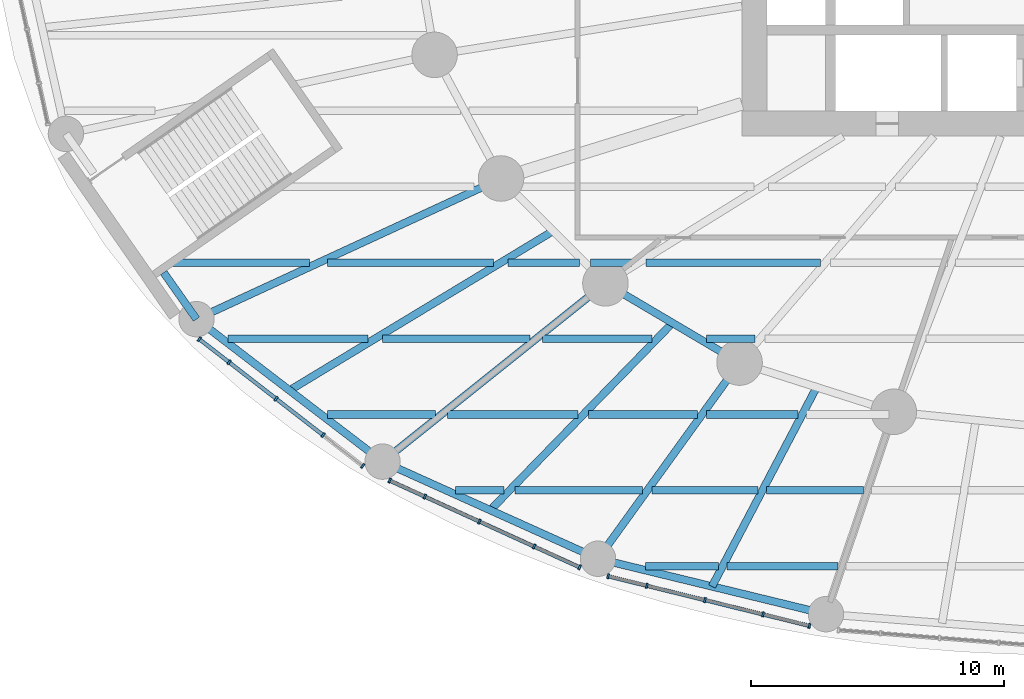
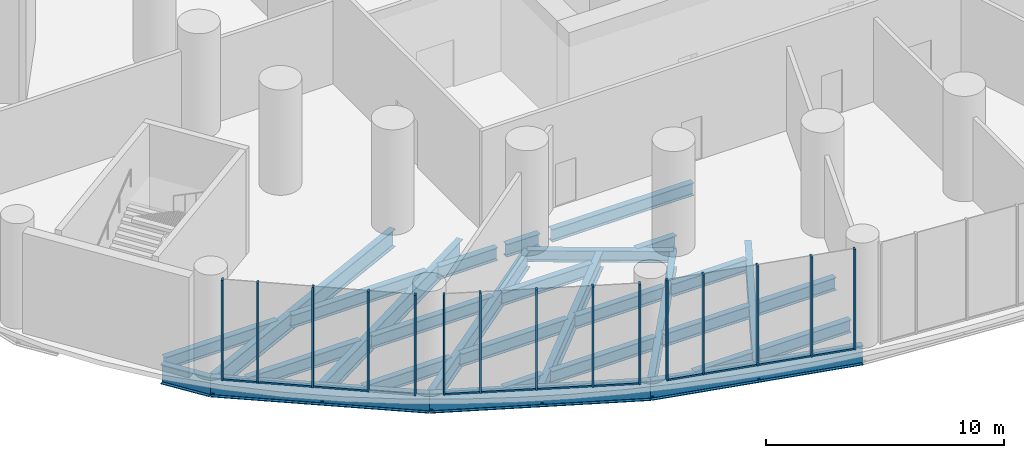
# One storey, part 2 of 23: 30 beams, 26 members, 3 elements without a shape of their own.
"""IFC4 building model written with IfcOpenShell, lengths in metres."""

import ifcopenshell
import ifcopenshell.guid

model = None  # the IFC model being written
_history = None  # IfcOwnerHistory: only IFC2X3 demands one
_inside = {}  # id of a spatial element -> (the spatial element, [elements in it])
_under = {}  # id of a project, library or spatial element -> (it, [spatial elements below it])
_declared = {}  # id of a project -> (the project, [libraries it declares])
_typed = {}  # id of a type object -> (the type object, [elements of that type])
_made_of = {}  # id of a material, layer set ... -> (it, [elements and type objects made of it])


def new_model(schema):
    """Start an empty IFC model of exactly this schema.

    Asked for "IFC4X3", IfcOpenShell would pick the latest addendum, in which some entities
    have other attributes; the version numbers below select the first issue.
    IFC2X3 requires an IfcOwnerHistory on every rooted entity: one is made here for all.
    """
    global model, _history
    if schema == "IFC4X3":
        model = ifcopenshell.file(schema_version=(4, 3, 0, 0))
    else:
        model = ifcopenshell.file(schema=schema)
    _inside.clear()
    _under.clear()
    _declared.clear()
    _typed.clear()
    _made_of.clear()
    _history = None
    if model.schema == "IFC2X3":
        org = make("IfcOrganization", Name="unknown")
        user = make(
            "IfcPersonAndOrganization",
            ThePerson=make("IfcPerson", FamilyName="unknown"),
            TheOrganization=org,
        )
        app = make(
            "IfcApplication",
            ApplicationDeveloper=org,
            Version="unknown",
            ApplicationFullName="unknown",
            ApplicationIdentifier="unknown",
        )
        _history = make(
            "IfcOwnerHistory",
            OwningUser=user,
            OwningApplication=app,
            ChangeAction="ADDED",
            CreationDate=0,
        )
    return model


def make(cls, **values):
    """One entity of the class cls with the attributes given. An attribute that is None is left unset."""
    return model.create_entity(
        cls, **{name: value for name, value in values.items() if value is not None}
    )


def rooted(cls, **values):
    """An entity with a GlobalId (a new one), such as an element, a storey or a relation."""
    return make(cls, GlobalId=ifcopenshell.guid.new(), OwnerHistory=_history, **values)


def si_unit(unit_type, name, prefix=None):
    """IfcSIUnit, for example si_unit("LENGTHUNIT", "METRE", prefix="MILLI")."""
    return make("IfcSIUnit", UnitType=unit_type, Prefix=prefix, Name=name)


def assignment(units):
    """IfcUnitAssignment: the units of a project."""
    return None if units is None else make("IfcUnitAssignment", Units=units)


def point(xyz):
    """IfcCartesianPoint."""
    return None if xyz is None else make("IfcCartesianPoint", Coordinates=xyz)


def direction(xyz):
    """IfcDirection."""
    return None if xyz is None else make("IfcDirection", DirectionRatios=xyz)


def frame(location, z_axis=None, x_axis=None):
    """IfcAxis2Placement3D, a coordinate frame: its origin and axes. An axis left out is left unset."""
    return make(
        "IfcAxis2Placement3D",
        Location=point(location),
        Axis=direction(z_axis),
        RefDirection=direction(x_axis),
    )


def frame_2d(location, x_axis=None):
    """IfcAxis2Placement2D, a coordinate frame in the plane: its origin and x axis."""
    return make(
        "IfcAxis2Placement2D", Location=point(location), RefDirection=direction(x_axis)
    )


def origin():
    """The frame at (0, 0, 0) with its axes left unset."""
    return frame((0.0, 0.0, 0.0))


def origin_2d():
    """The frame at (0, 0) in the plane with its x axis left unset."""
    return frame_2d((0.0, 0.0))


def place(relative_to, where):
    """IfcLocalPlacement: puts the frame where relative to a parent placement (None: the world)."""
    return make(
        "IfcLocalPlacement", PlacementRelTo=relative_to, RelativePlacement=where
    )


def context(
    kind, dimensions, precision=None, world=None, true_north=None, identifier=None
):
    """IfcGeometricRepresentationContext, for example the 3D "Model" context."""
    return make(
        "IfcGeometricRepresentationContext",
        ContextIdentifier=identifier,
        ContextType=kind,
        CoordinateSpaceDimension=dimensions,
        Precision=precision,
        WorldCoordinateSystem=world,
        TrueNorth=true_north,
    )


def subcontext(parent, identifier, kind, view, scale=None):
    """IfcGeometricRepresentationSubContext, for example "Body" below "Model"."""
    return make(
        "IfcGeometricRepresentationSubContext",
        ContextIdentifier=identifier,
        ContextType=kind,
        ParentContext=parent,
        TargetScale=scale,
        TargetView=view,
    )


def project(units=None, contexts=None):
    """IfcProject with its units and contexts."""
    return rooted(
        "IfcProject",
        Name="project",
        RepresentationContexts=contexts,
        UnitsInContext=assignment(units),
    )


def spatial(cls, under=None, at=None, **own):
    """A site, building, storey or space (cls), placed at a placement, below another one or the project."""
    s = rooted(cls, ObjectPlacement=at, **own)
    if under is not None:
        _under.setdefault(under.id(), (under, []))[1].append(s)
    return s


def profile(cls, at=None, kind="AREA", **sizes):
    """A parametric profile (cls). Its sizes go by their IFC names, for example OverallWidth=200.0."""
    return make(cls, ProfileType=kind, Position=at, **sizes)


def rectangle(**sizes):
    """IfcRectangleProfileDef."""
    return profile("IfcRectangleProfileDef", **sizes)


def i_section(**sizes):
    """IfcIShapeProfileDef."""
    return profile("IfcIShapeProfileDef", **sizes)


def extrude(swept, where, along, depth):
    """IfcExtrudedAreaSolid: the profile swept, set in the frame where, extruded along a direction by depth."""
    return make(
        "IfcExtrudedAreaSolid",
        SweptArea=swept,
        Position=where,
        ExtrudedDirection=direction(along),
        Depth=depth,
    )


def shape(context_of_items, identifier, shape_type, items):
    """IfcShapeRepresentation: the items that make up one representation, for example the "Body"."""
    return make(
        "IfcShapeRepresentation",
        ContextOfItems=context_of_items,
        RepresentationIdentifier=identifier,
        RepresentationType=shape_type,
        Items=items,
    )


def material(Name=None, Category=None):
    """IfcMaterial."""
    return make("IfcMaterial", Name=Name, Category=Category)


def material_profile(
    of_material, cross_section, Name=None, Category=None, Priority=None
):
    """IfcMaterialProfile: a cross section and its material."""
    return make(
        "IfcMaterialProfile",
        Name=Name,
        Material=of_material,
        Profile=cross_section,
        Priority=Priority,
        Category=Category,
    )


def profile_set(profiles, Name=None, composite=None):
    """IfcMaterialProfileSet."""
    return make(
        "IfcMaterialProfileSet",
        Name=Name,
        MaterialProfiles=profiles,
        CompositeProfile=composite,
    )


def made_of(thing, what):
    """Note that an element or type object is made of a material, layer set ...; save() writes the relation."""
    if what is not None:
        _made_of.setdefault(what.id(), (what, []))[1].append(thing)
    return thing


def type_object(cls, material=None, **own):
    """A type object (cls), such as IfcWallType, which elements share."""
    return made_of(rooted(cls, **own), material)


def element(
    cls,
    number,
    at=None,
    inside=None,
    cuts=None,
    type_object=None,
    material=None,
    context=None,
    identifier="Body",
    shape_type=None,
    held_by="IfcProductDefinitionShape",
    body=None,
    shapes=None,
    **own,
):
    """One element of the class cls, such as IfcWall. Its Tag is "e" and its number.

    at: its placement. inside: the storey or other place that contains it. cuts: it is an
    opening in that element (IfcRelVoidsElement). A single representation is given by context,
    identifier, shape_type and body (its items); several are given by shapes. held_by: the class
    of the entity that holds the representations. save() writes the other relations.
    """
    e = rooted(cls, Tag="e%d" % number, ObjectPlacement=at, **own)
    if body is not None:
        shapes = [shape(context, identifier, shape_type, body)]
    if shapes is not None:
        e.Representation = make(held_by, Representations=shapes)
    if inside is not None:
        _inside.setdefault(inside.id(), (inside, []))[1].append(e)
    if cuts is not None:
        rooted(
            "IfcRelVoidsElement", RelatingBuildingElement=cuts, RelatedOpeningElement=e
        )
    if type_object is not None:
        _typed.setdefault(type_object.id(), (type_object, []))[1].append(e)
    return made_of(e, material)


def aggregate(whole, parts):
    """IfcRelAggregates: a whole, such as a stair, and the parts it consists of."""
    return rooted("IfcRelAggregates", RelatingObject=whole, RelatedObjects=parts)


def save(model, path):
    """Write the relations noted so far, then the file.

    IfcRelAggregates (storeys below a building ...), IfcRelContainedInSpatialStructure (elements
    in a storey), IfcRelDefinesByType, IfcRelAssociatesMaterial and IfcRelDeclares: one each for
    every whole, place, type object, material and project.
    """
    for whole, parts in _under.values():
        aggregate(whole, parts)
    for where, things in _inside.values():
        rooted(
            "IfcRelContainedInSpatialStructure",
            RelatedElements=things,
            RelatingStructure=where,
        )
    for kind, things in _typed.values():
        rooted("IfcRelDefinesByType", RelatedObjects=things, RelatingType=kind)
    for what, things in _made_of.values():
        rooted("IfcRelAssociatesMaterial", RelatedObjects=things, RelatingMaterial=what)
    for by, libraries in _declared.values():
        rooted("IfcRelDeclares", RelatingContext=by, RelatedDefinitions=libraries)
    model.write(path)


model = new_model("IFC4")

# Units and contexts
model_context = context("Model", 3, precision=1e-05, world=origin(), true_north=direction((0.0, 1.0)))
body_context = subcontext(model_context, "Body", "Model", "MODEL_VIEW")
ifc_project = project(units=[si_unit("LENGTHUNIT", "METRE"), si_unit("AREAUNIT", "SQUARE_METRE"), si_unit("VOLUMEUNIT", "CUBIC_METRE"), si_unit("PLANEANGLEUNIT", "RADIAN"), si_unit("MASSUNIT", "GRAM", prefix="KILO")], contexts=[model_context])

# Site, building, storey
site_placement = place(None, origin())
site = spatial("IfcSite", under=ifc_project, at=site_placement, CompositionType="ELEMENT")
building_placement = place(site_placement, origin())
building = spatial("IfcBuilding", under=site, at=building_placement, Name="Hankou Lantern Tower", CompositionType="ELEMENT")
storey_placement = place(building_placement, frame((0.0, 0.0, 19.199951171875)))
storey = spatial("IfcBuildingStorey", under=building, at=storey_placement, Name="L03", CompositionType="ELEMENT", Elevation=19.199951171875)

# Beam
ifc_material_1 = material(Name="Steel Q355B", Category="steel")
ifc_material_profile_1 = material_profile(ifc_material_1, i_section(OverallWidth=0.300048828125, OverallDepth=0.587890625, WebThickness=0.011962890625, FlangeThickness=0.02001953125, FilletRadius=0.01806640625, at=origin_2d()), Name="HM588x300x12x20")
ifc_profile_set_1 = profile_set([ifc_material_profile_1], Name="Steel Q355B")
beam_type_1 = type_object("IfcBeamType", Name="EB16 RING BEAM HM588x300x12x20", PredefinedType="SPANDREL", material=ifc_profile_set_1)
beam_1_placement = place(storey_placement, frame((-17.891845703125, -14.3134765625, -0.5439453125), z_axis=(0.860881533543, -0.508805449268, 0.0), x_axis=(0.508805449268, 0.860881533543, 0.0)))
element("IfcBeam", 1, at=beam_1_placement, inside=storey, type_object=beam_type_1, Name="Ring beam R16-R17 L03", PredefinedType="SPANDREL", context=body_context, shape_type="SweptSolid", body=[
    extrude(i_section(OverallWidth=0.300048828125, OverallDepth=0.587890625, WebThickness=0.011962890625, FlangeThickness=0.02001953125, FilletRadius=0.01806640625, at=origin_2d()), origin(), (0.0, 0.0, 1.0), 6.15771484375),
])

# Curtain wall, members
ifc_material_2 = material(Name="Glass, dark grey tinted laminated", Category="glass")
curtain_wall_type = type_object("IfcCurtainWallType", Name="CWP PODIUM CURTAIN WALL", PredefinedType="USERDEFINED", material=ifc_material_2)
curtain_wall_1_placement = place(storey_placement, origin())
curtain_wall_1 = element("IfcCurtainWall", 2, at=curtain_wall_1_placement, inside=storey, type_object=curtain_wall_type, Name="CWP L03 PC11", ObjectType="PODIUM GLAZING", PredefinedType="USERDEFINED")
ifc_material_3 = material(Name="Aluminium, black anodised", Category="aluminium")
ifc_material_profile_2 = material_profile(ifc_material_3, rectangle(XDim=0.080078125, YDim=0.199951171875, at=origin_2d()), Name="MU2 80X200")
ifc_profile_set_2 = profile_set([ifc_material_profile_2], Name="Aluminium, black anodised")
member_type_1 = type_object("IfcMemberType", Name="MU2 PODIUM MULLION 80X200", PredefinedType="MULLION", material=ifc_profile_set_2)
member_1_placement = place(storey_placement, frame((-33.945068359375, -16.520751953125, 0.0), z_axis=(0.0, 0.0, 1.0), x_axis=(0.790129760642, -0.612939606608, 0.0)))
member_1 = element("IfcMember", 3, at=member_1_placement, type_object=member_type_1, Name="CWP mullion 1", PredefinedType="MULLION", context=body_context, shape_type="SweptSolid", body=[
    extrude(rectangle(XDim=0.080078125, YDim=0.199951171875, at=origin_2d()), origin(), (0.0, 0.0, 1.0), 5.150146484375),
])
member_2_placement = place(storey_placement, frame((-32.76806640625, -17.433837890625, 0.0), z_axis=(0.0, 0.0, 1.0), x_axis=(0.790129760642, -0.612939606608, 0.0)))
member_2 = element("IfcMember", 4, at=member_2_placement, type_object=member_type_1, Name="CWP mullion 2", PredefinedType="MULLION", context=body_context, shape_type="SweptSolid", body=[
    extrude(rectangle(XDim=0.080078125, YDim=0.199951171875, at=origin_2d()), origin(), (0.0, 0.0, 1.0), 5.150146484375),
])
member_3_placement = place(storey_placement, frame((-30.91064453125, -18.874755859375, 0.0), z_axis=(0.0, 0.0, 1.0), x_axis=(0.790129760642, -0.612939606608, 0.0)))
member_3 = element("IfcMember", 5, at=member_3_placement, type_object=member_type_1, Name="CWP mullion 3", PredefinedType="MULLION", context=body_context, shape_type="SweptSolid", body=[
    extrude(rectangle(XDim=0.080078125, YDim=0.199951171875, at=origin_2d()), origin(), (0.0, 0.0, 1.0), 5.150146484375),
])
member_4_placement = place(storey_placement, frame((-29.05322265625, -20.315673828125, 0.0), z_axis=(0.0, 0.0, 1.0), x_axis=(0.790129760642, -0.612939606608, 0.0)))
member_4 = element("IfcMember", 6, at=member_4_placement, type_object=member_type_1, Name="CWP mullion 4", PredefinedType="MULLION", context=body_context, shape_type="SweptSolid", body=[
    extrude(rectangle(XDim=0.080078125, YDim=0.199951171875, at=origin_2d()), origin(), (0.0, 0.0, 1.0), 5.150146484375),
])
member_5_placement = place(storey_placement, frame((-27.487060546875, -21.530517578125, 0.0), z_axis=(0.0, 0.0, 1.0), x_axis=(0.790129760642, -0.612939606608, 0.0)))
member_5 = element("IfcMember", 7, at=member_5_placement, type_object=member_type_1, Name="CWP mullion 5", PredefinedType="MULLION", context=body_context, shape_type="SweptSolid", body=[
    extrude(rectangle(XDim=0.080078125, YDim=0.199951171875, at=origin_2d()), origin(), (0.0, 0.0, 1.0), 5.150146484375),
])

curtain_wall_2_placement = place(storey_placement, origin())
curtain_wall_2 = element("IfcCurtainWall", 8, at=curtain_wall_2_placement, inside=storey, type_object=curtain_wall_type, Name="CWP L03 PC12", ObjectType="PODIUM GLAZING", PredefinedType="USERDEFINED")
member_6_placement = place(storey_placement, frame((-26.421630859375, -22.10986328125, 0.0), z_axis=(0.0, 0.0, 1.0), x_axis=(0.909669790944, -0.41533224224, 0.0)))
member_6 = element("IfcMember", 9, at=member_6_placement, type_object=member_type_1, Name="CWP mullion 1", PredefinedType="MULLION", context=body_context, shape_type="SweptSolid", body=[
    extrude(rectangle(XDim=0.080078125, YDim=0.199951171875, at=origin_2d()), origin(), (0.0, 0.0, 1.0), 5.150146484375),
])
member_7_placement = place(storey_placement, frame((-25.034423828125, -22.743408203125, 0.0), z_axis=(0.0, 0.0, 1.0), x_axis=(0.909669790944, -0.41533224224, 0.0)))
member_7 = element("IfcMember", 10, at=member_7_placement, type_object=member_type_1, Name="CWP mullion 2", PredefinedType="MULLION", context=body_context, shape_type="SweptSolid", body=[
    extrude(rectangle(XDim=0.080078125, YDim=0.199951171875, at=origin_2d()), origin(), (0.0, 0.0, 1.0), 5.150146484375),
])
member_8_placement = place(storey_placement, frame((-22.873046875, -23.730224609375, 0.0), z_axis=(0.0, 0.0, 1.0), x_axis=(0.909669790944, -0.41533224224, 0.0)))
member_8 = element("IfcMember", 11, at=member_8_placement, type_object=member_type_1, Name="CWP mullion 3", PredefinedType="MULLION", context=body_context, shape_type="SweptSolid", body=[
    extrude(rectangle(XDim=0.080078125, YDim=0.199951171875, at=origin_2d()), origin(), (0.0, 0.0, 1.0), 5.150146484375),
])
member_9_placement = place(storey_placement, frame((-20.711669921875, -24.717041015625, 0.0), z_axis=(0.0, 0.0, 1.0), x_axis=(0.909669790944, -0.41533224224, 0.0)))
member_9 = element("IfcMember", 12, at=member_9_placement, type_object=member_type_1, Name="CWP mullion 4", PredefinedType="MULLION", context=body_context, shape_type="SweptSolid", body=[
    extrude(rectangle(XDim=0.080078125, YDim=0.199951171875, at=origin_2d()), origin(), (0.0, 0.0, 1.0), 5.150146484375),
])
member_10_placement = place(storey_placement, frame((-18.913818359375, -25.537841796875, 0.0), z_axis=(0.0, 0.0, 1.0), x_axis=(0.909669790944, -0.41533224224, 0.0)))
member_10 = element("IfcMember", 13, at=member_10_placement, type_object=member_type_1, Name="CWP mullion 5", PredefinedType="MULLION", context=body_context, shape_type="SweptSolid", body=[
    extrude(rectangle(XDim=0.080078125, YDim=0.199951171875, at=origin_2d()), origin(), (0.0, 0.0, 1.0), 5.150146484375),
])

curtain_wall_3_placement = place(storey_placement, origin())
curtain_wall_3 = element("IfcCurtainWall", 14, at=curtain_wall_3_placement, inside=storey, type_object=curtain_wall_type, Name="CWP L03 PC13", ObjectType="PODIUM GLAZING", PredefinedType="USERDEFINED")
member_11_placement = place(storey_placement, frame((-17.785888671875, -25.892333984375, 0.0), z_axis=(0.0, 0.0, 1.0), x_axis=(0.970960955091, -0.239238006364, 0.0)))
member_11 = element("IfcMember", 15, at=member_11_placement, type_object=member_type_1, Name="CWP mullion 1", PredefinedType="MULLION", context=body_context, shape_type="SweptSolid", body=[
    extrude(rectangle(XDim=0.080078125, YDim=0.199951171875, at=origin_2d()), origin(), (0.0, 0.0, 1.0), 5.150146484375),
])
member_12_placement = place(storey_placement, frame((-16.25439453125, -26.26953125, 0.0), z_axis=(0.0, 0.0, 1.0), x_axis=(0.970960955091, -0.239238006364, 0.0)))
member_12 = element("IfcMember", 16, at=member_12_placement, type_object=member_type_1, Name="CWP mullion 2", PredefinedType="MULLION", context=body_context, shape_type="SweptSolid", body=[
    extrude(rectangle(XDim=0.080078125, YDim=0.199951171875, at=origin_2d()), origin(), (0.0, 0.0, 1.0), 5.150146484375),
])
member_13_placement = place(storey_placement, frame((-13.95849609375, -26.835205078125, 0.0), z_axis=(0.0, 0.0, 1.0), x_axis=(0.970960955091, -0.239238006364, 0.0)))
member_13 = element("IfcMember", 17, at=member_13_placement, type_object=member_type_1, Name="CWP mullion 3", PredefinedType="MULLION", context=body_context, shape_type="SweptSolid", body=[
    extrude(rectangle(XDim=0.080078125, YDim=0.199951171875, at=origin_2d()), origin(), (0.0, 0.0, 1.0), 5.150146484375),
])
member_14_placement = place(storey_placement, frame((-11.662841796875, -27.40087890625, 0.0), z_axis=(0.0, 0.0, 1.0), x_axis=(0.970960955091, -0.239238006364, 0.0)))
member_14 = element("IfcMember", 18, at=member_14_placement, type_object=member_type_1, Name="CWP mullion 4", PredefinedType="MULLION", context=body_context, shape_type="SweptSolid", body=[
    extrude(rectangle(XDim=0.080078125, YDim=0.199951171875, at=origin_2d()), origin(), (0.0, 0.0, 1.0), 5.150146484375),
])
member_15_placement = place(storey_placement, frame((-9.83056640625, -27.852294921875, 0.0), z_axis=(0.0, 0.0, 1.0), x_axis=(0.970960955091, -0.239238006364, 0.0)))
member_15 = element("IfcMember", 19, at=member_15_placement, type_object=member_type_1, Name="CWP mullion 5", PredefinedType="MULLION", context=body_context, shape_type="SweptSolid", body=[
    extrude(rectangle(XDim=0.080078125, YDim=0.199951171875, at=origin_2d()), origin(), (0.0, 0.0, 1.0), 5.150146484375),
])

# Beams
ifc_material_4 = material(Name="Steel Q355B", Category="steel")
ifc_material_profile_3 = material_profile(ifc_material_4, i_section(OverallWidth=0.300048828125, OverallDepth=0.89990234375, WebThickness=0.01611328125, FlangeThickness=0.028076171875, FilletRadius=0.01806640625, at=origin_2d()), Name="HN900x300x16x28")
ifc_profile_set_3 = profile_set([ifc_material_profile_3], Name="Steel Q355B")
beam_type_2 = type_object("IfcBeamType", Name="PB13 PODIUM RADIAL BEAM HN900x300x16x28", PredefinedType="BEAM", material=ifc_profile_set_3)
beam_2_placement = place(storey_placement, frame((-22.01904296875, -10.170166015625, -0.699951171875), z_axis=(-0.907840792808, -0.419315030633, 0.0), x_axis=(0.419315030633, -0.907840792808, 0.0)))
element("IfcBeam", 20, at=beam_2_placement, inside=storey, type_object=beam_type_2, Name="Podium radial beam R15 L03", PredefinedType="BEAM", context=body_context, shape_type="SweptSolid", body=[
    extrude(i_section(OverallWidth=0.300048828125, OverallDepth=0.89990234375, WebThickness=0.01611328125, FlangeThickness=0.028076171875, FilletRadius=0.01806640625, at=origin_2d()), origin(), (0.0, 0.0, 1.0), 13.259765625),
])
beam_3_placement = place(storey_placement, frame((-17.891845703125, -14.3134765625, -0.699951171875), z_axis=(-0.780875142676, -0.624687130931, 0.0), x_axis=(0.624687130931, -0.780875142676, 0.0)))
element("IfcBeam", 21, at=beam_3_placement, inside=storey, type_object=beam_type_2, Name="Podium radial beam R16 L03", PredefinedType="BEAM", context=body_context, shape_type="SweptSolid", body=[
    extrude(i_section(OverallWidth=0.300048828125, OverallDepth=0.89990234375, WebThickness=0.01611328125, FlangeThickness=0.028076171875, FilletRadius=0.01806640625, at=origin_2d()), origin(), (0.0, 0.0, 1.0), 11.28271484375),
])
beam_4_placement = place(storey_placement, frame((-12.5908203125, -17.446533203125, -0.699951171875), z_axis=(-0.585207097055, -0.810883871807, 0.0), x_axis=(0.810883871807, -0.585207097055, 0.0)))
element("IfcBeam", 22, at=beam_4_placement, inside=storey, type_object=beam_type_2, Name="Podium radial beam R17 L03", PredefinedType="BEAM", context=body_context, shape_type="SweptSolid", body=[
    extrude(i_section(OverallWidth=0.300048828125, OverallDepth=0.89990234375, WebThickness=0.01611328125, FlangeThickness=0.028076171875, FilletRadius=0.01806640625, at=origin_2d()), origin(), (0.0, 0.0, 1.0), 9.56103515625),
])
ifc_material_5 = material(Name="Steel Q355B", Category="steel")
ifc_material_profile_4 = material_profile(ifc_material_5, i_section(OverallWidth=0.300048828125, OverallDepth=1.0, WebThickness=0.01904296875, FlangeThickness=0.035888671875, FilletRadius=0.01806640625, at=origin_2d()), Name="HN1000x300x19x36")
ifc_profile_set_4 = profile_set([ifc_material_profile_4], Name="Steel Q355B")
beam_type_3 = type_object("IfcBeamType", Name="PR22 PODIUM RING BEAM HN1000x300x19x36", PredefinedType="BEAM", material=ifc_profile_set_4)
beam_5_placement = place(storey_placement, frame((-35.35400390625, -13.889404296875, -0.75), z_axis=(0.576006222853, -0.817445307794, 0.0), x_axis=(0.817445307794, 0.576006222853, 0.0)))
element("IfcBeam", 23, at=beam_5_placement, inside=storey, type_object=beam_type_3, Name="Podium ring beam R14-R15 L03 east part", PredefinedType="BEAM", context=body_context, shape_type="SweptSolid", body=[
    extrude(i_section(OverallWidth=0.300048828125, OverallDepth=1.0, WebThickness=0.01904296875, FlangeThickness=0.035888671875, FilletRadius=0.01806640625, at=origin_2d()), origin(), (0.0, 0.0, 1.0), 2.251953125),
])
beam_6_placement = place(storey_placement, frame((-34.056884765625, -15.730224609375, -0.75), z_axis=(0.793985875103, -0.607936205647, 0.0), x_axis=(0.607936205647, 0.793985875103, 0.0)))
element("IfcBeam", 24, at=beam_6_placement, inside=storey, type_object=beam_type_3, Name="Podium ring beam R15-R16 L03", PredefinedType="BEAM", context=body_context, shape_type="SweptSolid", body=[
    extrude(i_section(OverallWidth=0.300048828125, OverallDepth=1.0, WebThickness=0.01904296875, FlangeThickness=0.035888671875, FilletRadius=0.01806640625, at=origin_2d()), origin(), (0.0, 0.0, 1.0), 9.262939453125),
])
beam_7_placement = place(storey_placement, frame((-26.7021484375, -21.361572265625, -0.75), z_axis=(0.911695429723, -0.410866697874, 0.0), x_axis=(0.410866697874, 0.911695429723, 0.0)))
element("IfcBeam", 25, at=beam_7_placement, inside=storey, type_object=beam_type_3, Name="Podium ring beam R16-R17 L03", PredefinedType="BEAM", context=body_context, shape_type="SweptSolid", body=[
    extrude(i_section(OverallWidth=0.300048828125, OverallDepth=1.0, WebThickness=0.01904296875, FlangeThickness=0.035888671875, FilletRadius=0.01806640625, at=origin_2d()), origin(), (0.0, 0.0, 1.0), 9.341064453125),
])
beam_8_placement = place(storey_placement, frame((-18.18603515625, -25.199462890625, -0.75), z_axis=(0.971677242441, -0.23631194748, 0.0), x_axis=(0.23631194748, 0.971677242441, 0.0)))
element("IfcBeam", 26, at=beam_8_placement, inside=storey, type_object=beam_type_3, Name="Podium ring beam R17-R18 L03", PredefinedType="BEAM", context=body_context, shape_type="SweptSolid", body=[
    extrude(i_section(OverallWidth=0.300048828125, OverallDepth=1.0, WebThickness=0.01904296875, FlangeThickness=0.035888671875, FilletRadius=0.01806640625, at=origin_2d()), origin(), (0.0, 0.0, 1.0), 9.2744140625),
])
ifc_material_6 = material(Name="Steel Q355B", Category="steel")
ifc_material_profile_5 = material_profile(ifc_material_6, i_section(OverallWidth=0.300048828125, OverallDepth=0.89990234375, WebThickness=0.01611328125, FlangeThickness=0.028076171875, FilletRadius=0.01806640625, at=origin_2d()), Name="HN900x300x16x28")
ifc_profile_set_5 = profile_set([ifc_material_profile_5], Name="Steel Q355B")
beam_type_4 = type_object("IfcBeamType", Name="PS13 PODIUM SECONDARY BEAM HN900x300x16x28", PredefinedType="JOIST", material=ifc_profile_set_5)
beam_9_placement = place(storey_placement, frame((-19.955322265625, -12.24169921875, -0.699951171875), z_axis=(-0.855685755165, -0.517495785884, 0.0), x_axis=(0.517495785884, -0.855685755165, 0.0)))
element("IfcBeam", 27, at=beam_9_placement, inside=storey, type_object=beam_type_4, Name="Podium secondary beam bay R15 L03", PredefinedType="JOIST", context=body_context, shape_type="SweptSolid", body=[
    extrude(i_section(OverallWidth=0.300048828125, OverallDepth=0.89990234375, WebThickness=0.01611328125, FlangeThickness=0.028076171875, FilletRadius=0.01806640625, at=origin_2d()), origin(), (0.0, 0.0, 1.0), 12.18212890625),
])
beam_10_placement = place(storey_placement, frame((-15.2412109375, -15.8798828125, -0.699951171875), z_axis=(-0.697467529957, -0.716616385981, 0.0), x_axis=(0.716616385981, -0.697467529957, 0.0)))
element("IfcBeam", 28, at=beam_10_placement, inside=storey, type_object=beam_type_4, Name="Podium secondary beam bay R16 L03", PredefinedType="JOIST", context=body_context, shape_type="SweptSolid", body=[
    extrude(i_section(OverallWidth=0.300048828125, OverallDepth=0.89990234375, WebThickness=0.01611328125, FlangeThickness=0.028076171875, FilletRadius=0.01806640625, at=origin_2d()), origin(), (0.0, 0.0, 1.0), 10.3271484375),
])
beam_11_placement = place(storey_placement, frame((-9.54296875, -18.4189453125, -0.699951171875), z_axis=(-0.465026961303, -0.88529651827, 0.0), x_axis=(0.88529651827, -0.465026961303, 0.0)))
element("IfcBeam", 29, at=beam_11_placement, inside=storey, type_object=beam_type_4, Name="Podium secondary beam bay R17 L03", PredefinedType="JOIST", context=body_context, shape_type="SweptSolid", body=[
    extrude(i_section(OverallWidth=0.300048828125, OverallDepth=0.89990234375, WebThickness=0.01611328125, FlangeThickness=0.028076171875, FilletRadius=0.01806640625, at=origin_2d()), origin(), (0.0, 0.0, 1.0), 8.896728515625),
])
ifc_material_7 = material(Name="Steel Q355B", Category="steel")
ifc_material_profile_6 = material_profile(ifc_material_7, i_section(OverallWidth=0.300048828125, OverallDepth=0.64990234375, WebThickness=0.010986328125, FlangeThickness=0.01708984375, FilletRadius=0.01806640625, at=origin_2d()), Name="HN650x300x11x17")
ifc_profile_set_6 = profile_set([ifc_material_profile_6], Name="Steel Q355B")
beam_type_5 = type_object("IfcBeamType", Name="SB8 SECONDARY BEAM HN650x300x11x17", PredefinedType="JOIST", material=ifc_profile_set_6)
beam_12_placement = place(storey_placement, frame((-16.3154296875, -25.5, -0.574951171875), z_axis=(1.0, 0.0, 0.0), x_axis=(0.0, 1.0, 0.0)))
element("IfcBeam", 30, at=beam_12_placement, inside=storey, type_object=beam_type_5, Name="Floor joist J001 L03", PredefinedType="JOIST", context=body_context, shape_type="SweptSolid", body=[
    extrude(i_section(OverallWidth=0.300048828125, OverallDepth=0.64990234375, WebThickness=0.010986328125, FlangeThickness=0.01708984375, FilletRadius=0.01806640625, at=origin_2d()), origin(), (0.0, 0.0, 1.0), 2.883544921875),
])
beam_13_placement = place(storey_placement, frame((-13.093017578125, -25.5, -0.574951171875), z_axis=(1.0, 0.0, 0.0), x_axis=(0.0, 1.0, 0.0)))
element("IfcBeam", 31, at=beam_13_placement, inside=storey, type_object=beam_type_5, Name="Floor joist J002 L03", PredefinedType="JOIST", context=body_context, shape_type="SweptSolid", body=[
    extrude(i_section(OverallWidth=0.300048828125, OverallDepth=0.64990234375, WebThickness=0.010986328125, FlangeThickness=0.01708984375, FilletRadius=0.01806640625, at=origin_2d()), origin(), (0.0, 0.0, 1.0), 4.39404296875),
])
beam_14_placement = place(storey_placement, frame((-23.81103515625, -22.5, -0.574951171875), z_axis=(1.0, 0.0, 0.0), x_axis=(0.0, 1.0, 0.0)))
element("IfcBeam", 32, at=beam_14_placement, inside=storey, type_object=beam_type_5, Name="Floor joist J009 L03", PredefinedType="JOIST", context=body_context, shape_type="SweptSolid", body=[
    extrude(i_section(OverallWidth=0.300048828125, OverallDepth=0.64990234375, WebThickness=0.010986328125, FlangeThickness=0.01708984375, FilletRadius=0.01806640625, at=origin_2d()), origin(), (0.0, 0.0, 1.0), 1.917236328125),
])
beam_15_placement = place(storey_placement, frame((-21.47509765625, -22.5, -0.574951171875), z_axis=(1.0, 0.0, 0.0), x_axis=(0.0, 1.0, 0.0)))
element("IfcBeam", 33, at=beam_15_placement, inside=storey, type_object=beam_type_5, Name="Floor joist J010 L03", PredefinedType="JOIST", context=body_context, shape_type="SweptSolid", body=[
    extrude(i_section(OverallWidth=0.300048828125, OverallDepth=0.64990234375, WebThickness=0.010986328125, FlangeThickness=0.01708984375, FilletRadius=0.01806640625, at=origin_2d()), origin(), (0.0, 0.0, 1.0), 5.052001953125),
])
beam_16_placement = place(storey_placement, frame((-16.052978515625, -22.5, -0.574951171875), z_axis=(1.0, 0.0, 0.0), x_axis=(0.0, 1.0, 0.0)))
element("IfcBeam", 34, at=beam_16_placement, inside=storey, type_object=beam_type_5, Name="Floor joist J011 L03", PredefinedType="JOIST", context=body_context, shape_type="SweptSolid", body=[
    extrude(i_section(OverallWidth=0.300048828125, OverallDepth=0.64990234375, WebThickness=0.010986328125, FlangeThickness=0.01708984375, FilletRadius=0.01806640625, at=origin_2d()), origin(), (0.0, 0.0, 1.0), 4.197021484375),
])
beam_17_placement = place(storey_placement, frame((-11.51708984375, -22.5, -0.574951171875), z_axis=(1.0, 0.0, 0.0), x_axis=(0.0, 1.0, 0.0)))
element("IfcBeam", 35, at=beam_17_placement, inside=storey, type_object=beam_type_5, Name="Floor joist J012 L03", PredefinedType="JOIST", context=body_context, shape_type="SweptSolid", body=[
    extrude(i_section(OverallWidth=0.300048828125, OverallDepth=0.64990234375, WebThickness=0.010986328125, FlangeThickness=0.01708984375, FilletRadius=0.01806640625, at=origin_2d()), origin(), (0.0, 0.0, 1.0), 3.82275390625),
])
beam_18_placement = place(storey_placement, frame((-28.88671875, -19.5, -0.574951171875), z_axis=(1.0, 0.0, 0.0), x_axis=(0.0, 1.0, 0.0)))
element("IfcBeam", 36, at=beam_18_placement, inside=storey, type_object=beam_type_5, Name="Floor joist J021 L03", PredefinedType="JOIST", context=body_context, shape_type="SweptSolid", body=[
    extrude(i_section(OverallWidth=0.300048828125, OverallDepth=0.64990234375, WebThickness=0.010986328125, FlangeThickness=0.01708984375, FilletRadius=0.01806640625, at=origin_2d()), origin(), (0.0, 0.0, 1.0), 4.271484375),
])
beam_19_placement = place(storey_placement, frame((-24.134765625, -19.5, -0.574951171875), z_axis=(1.0, 0.0, 0.0), x_axis=(0.0, 1.0, 0.0)))
element("IfcBeam", 37, at=beam_19_placement, inside=storey, type_object=beam_type_5, Name="Floor joist J022 L03", PredefinedType="JOIST", context=body_context, shape_type="SweptSolid", body=[
    extrude(i_section(OverallWidth=0.300048828125, OverallDepth=0.64990234375, WebThickness=0.010986328125, FlangeThickness=0.01708984375, FilletRadius=0.01806640625, at=origin_2d()), origin(), (0.0, 0.0, 1.0), 5.160888671875),
])
beam_20_placement = place(storey_placement, frame((-18.55517578125, -19.5, -0.574951171875), z_axis=(1.0, 0.0, 0.0), x_axis=(0.0, 1.0, 0.0)))
element("IfcBeam", 38, at=beam_20_placement, inside=storey, type_object=beam_type_5, Name="Floor joist J023 L03", PredefinedType="JOIST", context=body_context, shape_type="SweptSolid", body=[
    extrude(i_section(OverallWidth=0.300048828125, OverallDepth=0.64990234375, WebThickness=0.010986328125, FlangeThickness=0.01708984375, FilletRadius=0.01806640625, at=origin_2d()), origin(), (0.0, 0.0, 1.0), 4.29736328125),
])
beam_21_placement = place(storey_placement, frame((-13.887939453125, -19.5, -0.574951171875), z_axis=(1.0, 0.0, 0.0), x_axis=(0.0, 1.0, 0.0)))
element("IfcBeam", 39, at=beam_21_placement, inside=storey, type_object=beam_type_5, Name="Floor joist J024 L03", PredefinedType="JOIST", context=body_context, shape_type="SweptSolid", body=[
    extrude(i_section(OverallWidth=0.300048828125, OverallDepth=0.64990234375, WebThickness=0.010986328125, FlangeThickness=0.01708984375, FilletRadius=0.01806640625, at=origin_2d()), origin(), (0.0, 0.0, 1.0), 3.607666015625),
])
beam_22_placement = place(storey_placement, frame((-32.8046875, -16.5, -0.574951171875), z_axis=(1.0, 0.0, 0.0), x_axis=(0.0, 1.0, 0.0)))
element("IfcBeam", 40, at=beam_22_placement, inside=storey, type_object=beam_type_5, Name="Floor joist J033 L03", PredefinedType="JOIST", context=body_context, shape_type="SweptSolid", body=[
    extrude(i_section(OverallWidth=0.300048828125, OverallDepth=0.64990234375, WebThickness=0.010986328125, FlangeThickness=0.01708984375, FilletRadius=0.01806640625, at=origin_2d()), origin(), (0.0, 0.0, 1.0), 5.518310546875),
])
beam_23_placement = place(storey_placement, frame((-26.70654296875, -16.5, -0.574951171875), z_axis=(1.0, 0.0, 0.0), x_axis=(0.0, 1.0, 0.0)))
element("IfcBeam", 41, at=beam_23_placement, inside=storey, type_object=beam_type_5, Name="Floor joist J034 L03", PredefinedType="JOIST", context=body_context, shape_type="SweptSolid", body=[
    extrude(i_section(OverallWidth=0.300048828125, OverallDepth=0.64990234375, WebThickness=0.010986328125, FlangeThickness=0.01708984375, FilletRadius=0.01806640625, at=origin_2d()), origin(), (0.0, 0.0, 1.0), 5.84130859375),
])
beam_24_placement = place(storey_placement, frame((-20.384765625, -16.5, -0.574951171875), z_axis=(1.0, 0.0, 0.0), x_axis=(0.0, 1.0, 0.0)))
element("IfcBeam", 42, at=beam_24_placement, inside=storey, type_object=beam_type_5, Name="Floor joist J035 L03", PredefinedType="JOIST", context=body_context, shape_type="SweptSolid", body=[
    extrude(i_section(OverallWidth=0.300048828125, OverallDepth=0.64990234375, WebThickness=0.010986328125, FlangeThickness=0.01708984375, FilletRadius=0.01806640625, at=origin_2d()), origin(), (0.0, 0.0, 1.0), 4.33056640625),
])
beam_25_placement = place(storey_placement, frame((-13.8974609375, -16.5, -0.574951171875), z_axis=(1.0, 0.0, 0.0), x_axis=(0.0, 1.0, 0.0)))
element("IfcBeam", 43, at=beam_25_placement, inside=storey, type_object=beam_type_5, Name="Floor joist J036 L03", PredefinedType="JOIST", context=body_context, shape_type="SweptSolid", body=[
    extrude(i_section(OverallWidth=0.300048828125, OverallDepth=0.64990234375, WebThickness=0.010986328125, FlangeThickness=0.01708984375, FilletRadius=0.01806640625, at=origin_2d()), origin(), (0.0, 0.0, 1.0), 1.921630859375),
])
beam_26_placement = place(storey_placement, frame((-35.056884765625, -13.5, -0.574951171875), z_axis=(1.0, 0.0, 0.0), x_axis=(0.0, 1.0, 0.0)))
element("IfcBeam", 44, at=beam_26_placement, inside=storey, type_object=beam_type_5, Name="Floor joist J045 L03", PredefinedType="JOIST", context=body_context, shape_type="SweptSolid", body=[
    extrude(i_section(OverallWidth=0.300048828125, OverallDepth=0.64990234375, WebThickness=0.010986328125, FlangeThickness=0.01708984375, FilletRadius=0.01806640625, at=origin_2d()), origin(), (0.0, 0.0, 1.0), 5.470703125),
])
beam_27_placement = place(storey_placement, frame((-28.87060546875, -13.5, -0.574951171875), z_axis=(1.0, 0.0, 0.0), x_axis=(0.0, 1.0, 0.0)))
element("IfcBeam", 45, at=beam_27_placement, inside=storey, type_object=beam_type_5, Name="Floor joist J046 L03", PredefinedType="JOIST", context=body_context, shape_type="SweptSolid", body=[
    extrude(i_section(OverallWidth=0.300048828125, OverallDepth=0.64990234375, WebThickness=0.010986328125, FlangeThickness=0.01708984375, FilletRadius=0.01806640625, at=origin_2d()), origin(), (0.0, 0.0, 1.0), 6.544921875),
])
beam_28_placement = place(storey_placement, frame((-21.74609375, -13.5, -0.574951171875), z_axis=(1.0, 0.0, 0.0), x_axis=(0.0, 1.0, 0.0)))
element("IfcBeam", 46, at=beam_28_placement, inside=storey, type_object=beam_type_5, Name="Floor joist J047 L03", PredefinedType="JOIST", context=body_context, shape_type="SweptSolid", body=[
    extrude(i_section(OverallWidth=0.300048828125, OverallDepth=0.64990234375, WebThickness=0.010986328125, FlangeThickness=0.01708984375, FilletRadius=0.01806640625, at=origin_2d()), origin(), (0.0, 0.0, 1.0), 2.832275390625),
])
beam_29_placement = place(storey_placement, frame((-18.490234375, -13.5, -0.574951171875), z_axis=(1.0, 0.0, 0.0), x_axis=(0.0, 1.0, 0.0)))
element("IfcBeam", 47, at=beam_29_placement, inside=storey, type_object=beam_type_5, Name="Floor joist J048 L03", PredefinedType="JOIST", context=body_context, shape_type="SweptSolid", body=[
    extrude(i_section(OverallWidth=0.300048828125, OverallDepth=0.64990234375, WebThickness=0.010986328125, FlangeThickness=0.01708984375, FilletRadius=0.01806640625, at=origin_2d()), origin(), (0.0, 0.0, 1.0), 1.62744140625),
])
beam_30_placement = place(storey_placement, frame((-16.292724609375, -13.5, -0.574951171875), z_axis=(1.0, 0.0, 0.0), x_axis=(0.0, 1.0, 0.0)))
element("IfcBeam", 48, at=beam_30_placement, inside=storey, type_object=beam_type_5, Name="Floor joist J049 L03", PredefinedType="JOIST", context=body_context, shape_type="SweptSolid", body=[
    extrude(i_section(OverallWidth=0.300048828125, OverallDepth=0.64990234375, WebThickness=0.010986328125, FlangeThickness=0.01708984375, FilletRadius=0.01806640625, at=origin_2d()), origin(), (0.0, 0.0, 1.0), 6.893310546875),
])

# Member
ifc_material_8 = material(Name="Aluminium, black anodised", Category="aluminium")
ifc_material_profile_7 = material_profile(ifc_material_8, rectangle(XDim=0.14990234375, YDim=0.080078125, at=origin_2d()), Name="TR2 150X80")
ifc_profile_set_7 = profile_set([ifc_material_profile_7], Name="Aluminium, black anodised")
member_type_2 = type_object("IfcMemberType", Name="TR2 PODIUM TRANSOM 150X80", PredefinedType="USERDEFINED", material=ifc_profile_set_7)
member_16_placement = place(storey_placement, frame((-33.913330078125, -16.54541015625, 0.0400390625), z_axis=(0.790144462034, -0.612920654829, 0.0), x_axis=(0.612920654829, 0.790144462034, 0.0)))
member_16 = element("IfcMember", 49, at=member_16_placement, type_object=member_type_2, Name="CWP transom 1", ObjectType="TRANSOM", PredefinedType="USERDEFINED", context=body_context, shape_type="SweptSolid", body=[
    extrude(rectangle(XDim=0.14990234375, YDim=0.080078125, at=origin_2d()), origin(), (0.0, 0.0, 1.0), 1.4091796875),
])

member_17_placement = place(storey_placement, frame((-32.736572265625, -17.458251953125, 0.0400390625), z_axis=(0.79016773701, -0.612890648802, 0.0), x_axis=(0.612890648802, 0.79016773701, 0.0)))
member_17 = element("IfcMember", 50, at=member_17_placement, type_object=member_type_2, Name="CWP transom 2", ObjectType="TRANSOM", PredefinedType="USERDEFINED", context=body_context, shape_type="SweptSolid", body=[
    extrude(rectangle(XDim=0.14990234375, YDim=0.080078125, at=origin_2d()), origin(), (0.0, 0.0, 1.0), 2.27099609375),
])

member_18_placement = place(storey_placement, frame((-30.879150390625, -18.899169921875, 0.0400390625), z_axis=(0.79016773701, -0.612890648802, 0.0), x_axis=(0.612890648802, 0.79016773701, 0.0)))
member_18 = element("IfcMember", 51, at=member_18_placement, type_object=member_type_2, Name="CWP transom 3", ObjectType="TRANSOM", PredefinedType="USERDEFINED", context=body_context, shape_type="SweptSolid", body=[
    extrude(rectangle(XDim=0.14990234375, YDim=0.080078125, at=origin_2d()), origin(), (0.0, 0.0, 1.0), 2.27099609375),
])

aggregate(curtain_wall_1, [member_1, member_2, member_3, member_4, member_5, member_16, member_17, member_18])

member_19_placement = place(storey_placement, frame((-26.38525390625, -22.126708984375, 0.0400390625), z_axis=(0.909682453266, -0.415304507825, 0.0), x_axis=(0.415304507825, 0.909682453266, 0.0)))
member_19 = element("IfcMember", 52, at=member_19_placement, type_object=member_type_2, Name="CWP transom 1", ObjectType="TRANSOM", PredefinedType="USERDEFINED", context=body_context, shape_type="SweptSolid", body=[
    extrude(rectangle(XDim=0.14990234375, YDim=0.080078125, at=origin_2d()), origin(), (0.0, 0.0, 1.0), 1.445068359375),
])

member_20_placement = place(storey_placement, frame((-24.998046875, -22.760009765625, 0.0400390625), z_axis=(0.909669664149, -0.415332519949, 0.0), x_axis=(0.415332519949, 0.909669664149, 0.0)))
member_20 = element("IfcMember", 53, at=member_20_placement, type_object=member_type_2, Name="CWP transom 2", ObjectType="TRANSOM", PredefinedType="USERDEFINED", context=body_context, shape_type="SweptSolid", body=[
    extrude(rectangle(XDim=0.14990234375, YDim=0.080078125, at=origin_2d()), origin(), (0.0, 0.0, 1.0), 2.296142578125),
])

member_21_placement = place(storey_placement, frame((-22.836669921875, -23.746826171875, 0.0400390625), z_axis=(0.909669664149, -0.415332519949, 0.0), x_axis=(0.415332519949, 0.909669664149, 0.0)))
member_21 = element("IfcMember", 54, at=member_21_placement, type_object=member_type_2, Name="CWP transom 3", ObjectType="TRANSOM", PredefinedType="USERDEFINED", context=body_context, shape_type="SweptSolid", body=[
    extrude(rectangle(XDim=0.14990234375, YDim=0.080078125, at=origin_2d()), origin(), (0.0, 0.0, 1.0), 2.296142578125),
])

member_22_placement = place(storey_placement, frame((-20.67529296875, -24.733642578125, 0.0400390625), z_axis=(0.909677430468, -0.41531550958, 0.0), x_axis=(0.41531550958, 0.909677430468, 0.0)))
member_22 = element("IfcMember", 55, at=member_22_placement, type_object=member_type_2, Name="CWP transom 4", ObjectType="TRANSOM", PredefinedType="USERDEFINED", context=body_context, shape_type="SweptSolid", body=[
    extrude(rectangle(XDim=0.14990234375, YDim=0.080078125, at=origin_2d()), origin(), (0.0, 0.0, 1.0), 1.896484375),
])

aggregate(curtain_wall_2, [member_6, member_7, member_8, member_9, member_10, member_19, member_20, member_21, member_22])

member_23_placement = place(storey_placement, frame((-17.7470703125, -25.90185546875, 0.0400390625), z_axis=(0.970971197991, -0.239196431142, 0.0), x_axis=(0.239196431142, 0.970971197991, 0.0)))
member_23 = element("IfcMember", 56, at=member_23_placement, type_object=member_type_2, Name="CWP transom 1", ObjectType="TRANSOM", PredefinedType="USERDEFINED", context=body_context, shape_type="SweptSolid", body=[
    extrude(rectangle(XDim=0.14990234375, YDim=0.080078125, at=origin_2d()), origin(), (0.0, 0.0, 1.0), 1.497314453125),
])

member_24_placement = place(storey_placement, frame((-16.215576171875, -26.279052734375, 0.0400390625), z_axis=(0.970948059845, -0.239290336378, 0.0), x_axis=(0.239290336378, 0.970948059845, 0.0)))
member_24 = element("IfcMember", 57, at=member_24_placement, type_object=member_type_2, Name="CWP transom 2", ObjectType="TRANSOM", PredefinedType="USERDEFINED", context=body_context, shape_type="SweptSolid", body=[
    extrude(rectangle(XDim=0.14990234375, YDim=0.080078125, at=origin_2d()), origin(), (0.0, 0.0, 1.0), 2.284423828125),
])

member_25_placement = place(storey_placement, frame((-13.919677734375, -26.8447265625, 0.0400390625), z_axis=(0.970948059845, -0.239290336378, 0.0), x_axis=(0.239290336378, 0.970948059845, 0.0)))
member_25 = element("IfcMember", 58, at=member_25_placement, type_object=member_type_2, Name="CWP transom 3", ObjectType="TRANSOM", PredefinedType="USERDEFINED", context=body_context, shape_type="SweptSolid", body=[
    extrude(rectangle(XDim=0.14990234375, YDim=0.080078125, at=origin_2d()), origin(), (0.0, 0.0, 1.0), 2.284423828125),
])

member_26_placement = place(storey_placement, frame((-11.6240234375, -27.410400390625, 0.0400390625), z_axis=(0.970955515261, -0.23926008314, 0.0), x_axis=(0.23926008314, 0.970955515261, 0.0)))
member_26 = element("IfcMember", 59, at=member_26_placement, type_object=member_type_2, Name="CWP transom 4", ObjectType="TRANSOM", PredefinedType="USERDEFINED", context=body_context, shape_type="SweptSolid", body=[
    extrude(rectangle(XDim=0.14990234375, YDim=0.080078125, at=origin_2d()), origin(), (0.0, 0.0, 1.0), 1.80712890625),
])

aggregate(curtain_wall_3, [member_11, member_12, member_13, member_14, member_15, member_23, member_24, member_25, member_26])

save(model, "model.ifc")
